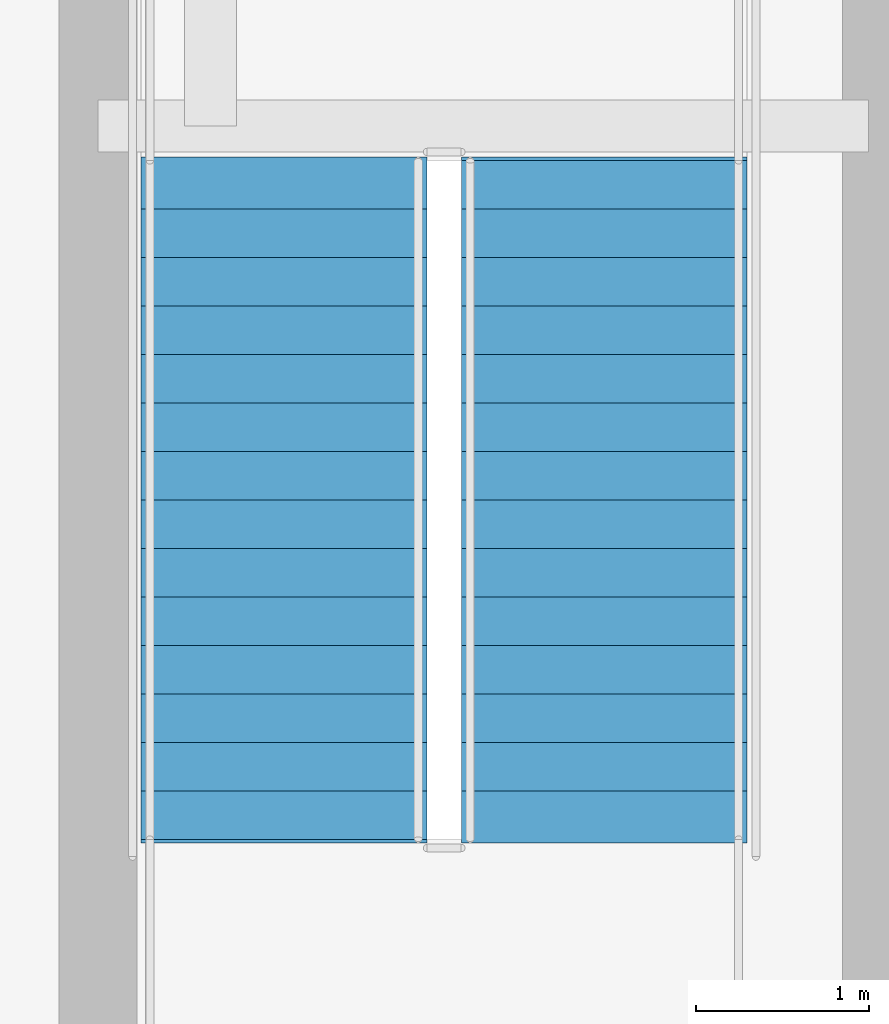
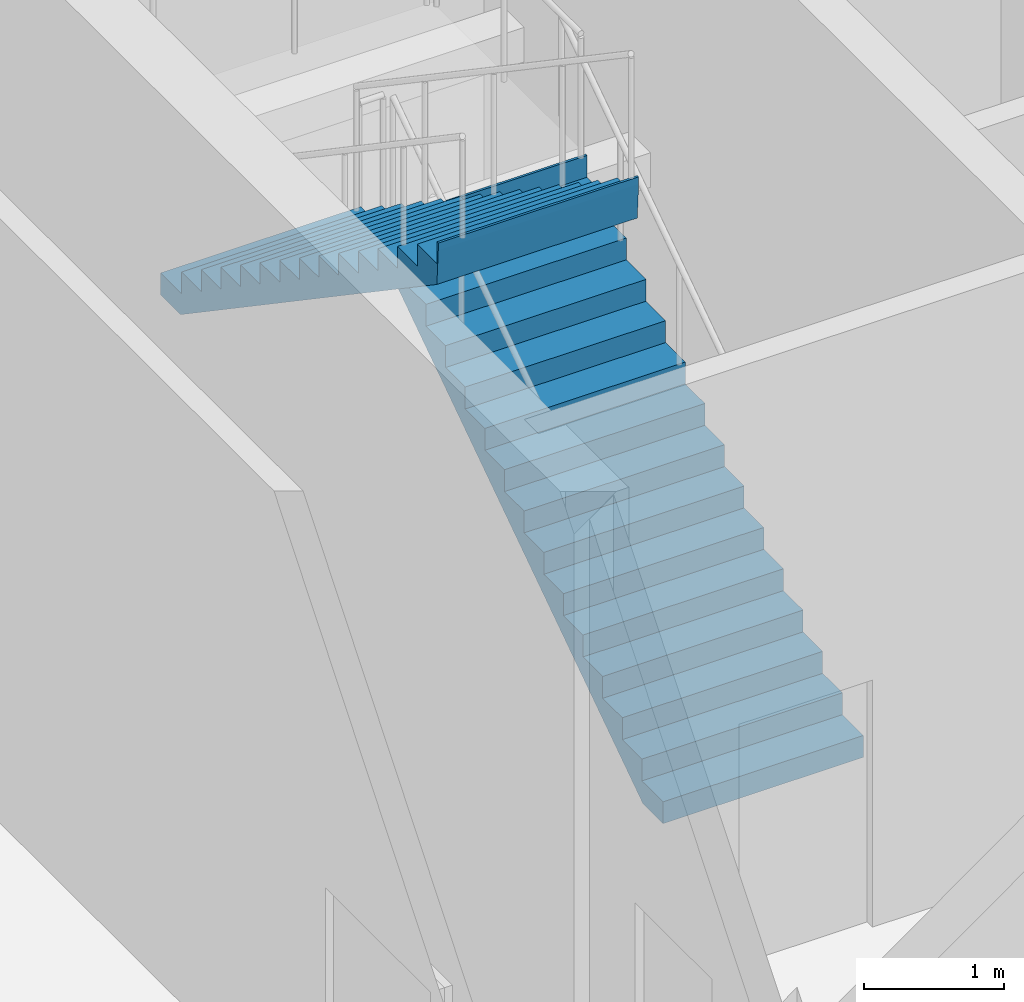
# One storey, part 5 of 9: 2 stair flights, 1 element without a shape of its own.
"""IFC4 building model written with IfcOpenShell, lengths in metres."""

from ifc_helpers import new_model, si_unit, direction, frame, origin, place, context, subcontext, project, spatial, polygons, material, type_object, element, aggregate, save


model = new_model("IFC4")

# Units and contexts
model_context = context("Model", 3, precision=1e-05, world=origin(), true_north=direction((0.0, 1.0)))
body_context = subcontext(model_context, "Body", "Model", "MODEL_VIEW")
ifc_project = project(units=[si_unit("LENGTHUNIT", "METRE"), si_unit("AREAUNIT", "SQUARE_METRE"), si_unit("VOLUMEUNIT", "CUBIC_METRE"), si_unit("PLANEANGLEUNIT", "RADIAN"), si_unit("MASSUNIT", "GRAM", prefix="KILO")], contexts=[model_context])

# Site, building, storey
site_placement = place(None, origin())
site = spatial("IfcSite", under=ifc_project, at=site_placement, CompositionType="ELEMENT")
building_placement = place(site_placement, origin())
building = spatial("IfcBuilding", under=site, at=building_placement, Name="Serunith Strait Residences", CompositionType="ELEMENT")
storey_placement = place(building_placement, frame((0.0, 0.0, 21.0)))
storey = spatial("IfcBuildingStorey", under=building, at=storey_placement, Name="L04", CompositionType="ELEMENT", Elevation=21.0)

# Stair, stair flights
ifc_material = material(Name="Concrete C50/60", Category="concrete")
stair_type = type_object("IfcStairType", Name="STR-CORE-1", PredefinedType="HALF_TURN_STAIR", material=ifc_material)
stair_placement = place(storey_placement, origin())
stair = element("IfcStair", 1, at=stair_placement, inside=storey, type_object=stair_type, Name="L04 Protected Escape Stair ST-1", PredefinedType="HALF_TURN_STAIR")
stair_flight_type = type_object("IfcStairFlightType", Name="FLT-CORE-1", PredefinedType="STRAIGHT", material=ifc_material)
stair_flight_1_placement = place(storey_placement, frame((26.324951171875, 27.030029296875, 0.0), z_axis=(0.0, 0.0, 1.0), x_axis=(0.0, 1.0, 0.0)))
stair_flight_1 = element("IfcStairFlight", 2, at=stair_flight_1_placement, type_object=stair_flight_type, Name="ST-1 flight 1", NumberOfRisers=15, NumberOfTreads=14, PredefinedType="STRAIGHT", RiserHeight=0.19, TreadLength=0.28, context=body_context, shape_type="Tessellation", body=[
    polygons([(-0.02001953125, -0.824951171875, 0.0), (-0.02001953125, -0.824951171875, 0.18994140625), (0.280029296875, -0.824951171875, 0.18994140625), (0.280029296875, -0.824951171875, 0.3798828125), (0.56005859375, -0.824951171875, 0.3798828125), (0.56005859375, -0.824951171875, 0.570068359375), (0.840087890625, -0.824951171875, 0.570068359375), (0.840087890625, -0.824951171875, 0.760009765625), (1.1201171875, -0.824951171875, 0.760009765625), (1.1201171875, -0.824951171875, 0.949951171875), (1.39990234375, -0.824951171875, 0.949951171875), (1.39990234375, -0.824951171875, 1.139892578125), (1.679931640625, -0.824951171875, 1.139892578125), (1.679931640625, -0.824951171875, 1.330078125), (1.9599609375, -0.824951171875, 1.330078125), (1.9599609375, -0.824951171875, 1.52001953125), (2.239990234375, -0.824951171875, 1.52001953125), (2.239990234375, -0.824951171875, 1.7099609375), (2.52001953125, -0.824951171875, 1.7099609375), (2.52001953125, -0.824951171875, 1.89990234375), (2.800048828125, -0.824951171875, 1.89990234375), (2.800048828125, -0.824951171875, 2.090087890625), (3.080078125, -0.824951171875, 2.090087890625), (3.080078125, -0.824951171875, 2.280029296875), (3.360107421875, -0.824951171875, 2.280029296875), (3.360107421875, -0.824951171875, 2.469970703125), (3.639892578125, -0.824951171875, 2.469970703125), (3.639892578125, -0.824951171875, 2.659912109375), (3.919921875, -0.824951171875, 2.659912109375), (3.919921875, -0.824951171875, 2.85009765625), (3.93994140625, -0.824951171875, 2.85009765625), (3.93994140625, -0.824951171875, 2.7900390625), (3.919921875, -0.824951171875, 2.478759765625), (0.266845703125, -0.824951171875, 0.0), (-0.02001953125, -0.41259765625, 0.0), (-0.02001953125, -0.41259765625, 0.18994140625), (0.280029296875, -0.41259765625, 0.18994140625), (0.280029296875, -0.41259765625, 0.3798828125), (0.56005859375, -0.41259765625, 0.3798828125), (0.56005859375, -0.41259765625, 0.570068359375), (0.840087890625, -0.41259765625, 0.570068359375), (0.840087890625, -0.41259765625, 0.760009765625), (1.1201171875, -0.41259765625, 0.760009765625), (1.1201171875, -0.41259765625, 0.949951171875), (1.39990234375, -0.41259765625, 0.949951171875), (1.39990234375, -0.41259765625, 1.139892578125), (1.679931640625, -0.41259765625, 1.139892578125), (1.679931640625, -0.41259765625, 1.330078125), (1.9599609375, -0.41259765625, 1.330078125), (1.9599609375, -0.41259765625, 1.52001953125), (2.239990234375, -0.41259765625, 1.52001953125), (2.239990234375, -0.41259765625, 1.7099609375), (2.52001953125, -0.41259765625, 1.7099609375), (2.52001953125, -0.41259765625, 1.89990234375), (2.800048828125, -0.41259765625, 1.89990234375), (2.800048828125, -0.41259765625, 2.090087890625), (3.080078125, -0.41259765625, 2.090087890625), (3.080078125, -0.41259765625, 2.280029296875), (3.360107421875, -0.41259765625, 2.280029296875), (3.360107421875, -0.41259765625, 2.469970703125), (3.639892578125, -0.41259765625, 2.469970703125), (3.639892578125, -0.41259765625, 2.659912109375), (3.919921875, -0.41259765625, 2.659912109375), (3.919921875, -0.41259765625, 2.85009765625), (3.93994140625, -0.41259765625, 2.85009765625), (3.93994140625, -0.41259765625, 2.7900390625), (3.919921875, -0.41259765625, 2.478759765625), (0.266845703125, -0.41259765625, 0.0), (-0.02001953125, 0.0, 0.0), (-0.02001953125, 0.0, 0.18994140625), (0.280029296875, 0.0, 0.18994140625), (0.280029296875, 0.0, 0.3798828125), (0.56005859375, 0.0, 0.3798828125), (0.56005859375, 0.0, 0.570068359375), (0.840087890625, 0.0, 0.570068359375), (0.840087890625, 0.0, 0.760009765625), (1.1201171875, 0.0, 0.760009765625), (1.1201171875, 0.0, 0.949951171875), (1.39990234375, 0.0, 0.949951171875), (1.39990234375, 0.0, 1.139892578125), (1.679931640625, 0.0, 1.139892578125), (1.679931640625, 0.0, 1.330078125), (1.9599609375, 0.0, 1.330078125), (1.9599609375, 0.0, 1.52001953125), (2.239990234375, 0.0, 1.52001953125), (2.239990234375, 0.0, 1.7099609375), (2.52001953125, 0.0, 1.7099609375), (2.52001953125, 0.0, 1.89990234375), (2.800048828125, 0.0, 1.89990234375), (2.800048828125, 0.0, 2.090087890625), (3.080078125, 0.0, 2.090087890625), (3.080078125, 0.0, 2.280029296875), (3.360107421875, 0.0, 2.280029296875), (3.360107421875, 0.0, 2.469970703125), (3.639892578125, 0.0, 2.469970703125), (3.639892578125, 0.0, 2.659912109375), (3.919921875, 0.0, 2.659912109375), (3.919921875, 0.0, 2.85009765625), (3.93994140625, 0.0, 2.85009765625), (3.93994140625, 0.0, 2.7900390625), (3.919921875, 0.0, 2.478759765625), (0.266845703125, 0.0, 0.0), (-0.02001953125, 0.41259765625, 0.0), (-0.02001953125, 0.41259765625, 0.18994140625), (0.280029296875, 0.41259765625, 0.18994140625), (0.280029296875, 0.41259765625, 0.3798828125), (0.56005859375, 0.41259765625, 0.3798828125), (0.56005859375, 0.41259765625, 0.570068359375), (0.840087890625, 0.41259765625, 0.570068359375), (0.840087890625, 0.41259765625, 0.760009765625), (1.1201171875, 0.41259765625, 0.760009765625), (1.1201171875, 0.41259765625, 0.949951171875), (1.39990234375, 0.41259765625, 0.949951171875), (1.39990234375, 0.41259765625, 1.139892578125), (1.679931640625, 0.41259765625, 1.139892578125), (1.679931640625, 0.41259765625, 1.330078125), (1.9599609375, 0.41259765625, 1.330078125), (1.9599609375, 0.41259765625, 1.52001953125), (2.239990234375, 0.41259765625, 1.52001953125), (2.239990234375, 0.41259765625, 1.7099609375), (2.52001953125, 0.41259765625, 1.7099609375), (2.52001953125, 0.41259765625, 1.89990234375), (2.800048828125, 0.41259765625, 1.89990234375), (2.800048828125, 0.41259765625, 2.090087890625), (3.080078125, 0.41259765625, 2.090087890625), (3.080078125, 0.41259765625, 2.280029296875), (3.360107421875, 0.41259765625, 2.280029296875), (3.360107421875, 0.41259765625, 2.469970703125), (3.639892578125, 0.41259765625, 2.469970703125), (3.639892578125, 0.41259765625, 2.659912109375), (3.919921875, 0.41259765625, 2.659912109375), (3.919921875, 0.41259765625, 2.85009765625), (3.93994140625, 0.41259765625, 2.85009765625), (3.93994140625, 0.41259765625, 2.7900390625), (3.919921875, 0.41259765625, 2.478759765625), (0.266845703125, 0.41259765625, 0.0), (-0.02001953125, 0.824951171875, 0.0), (-0.02001953125, 0.824951171875, 0.18994140625), (0.280029296875, 0.824951171875, 0.18994140625), (0.280029296875, 0.824951171875, 0.3798828125), (0.56005859375, 0.824951171875, 0.3798828125), (0.56005859375, 0.824951171875, 0.570068359375), (0.840087890625, 0.824951171875, 0.570068359375), (0.840087890625, 0.824951171875, 0.760009765625), (1.1201171875, 0.824951171875, 0.760009765625), (1.1201171875, 0.824951171875, 0.949951171875), (1.39990234375, 0.824951171875, 0.949951171875), (1.39990234375, 0.824951171875, 1.139892578125), (1.679931640625, 0.824951171875, 1.139892578125), (1.679931640625, 0.824951171875, 1.330078125), (1.9599609375, 0.824951171875, 1.330078125), (1.9599609375, 0.824951171875, 1.52001953125), (2.239990234375, 0.824951171875, 1.52001953125), (2.239990234375, 0.824951171875, 1.7099609375), (2.52001953125, 0.824951171875, 1.7099609375), (2.52001953125, 0.824951171875, 1.89990234375), (2.800048828125, 0.824951171875, 1.89990234375), (2.800048828125, 0.824951171875, 2.090087890625), (3.080078125, 0.824951171875, 2.090087890625), (3.080078125, 0.824951171875, 2.280029296875), (3.360107421875, 0.824951171875, 2.280029296875), (3.360107421875, 0.824951171875, 2.469970703125), (3.639892578125, 0.824951171875, 2.469970703125), (3.639892578125, 0.824951171875, 2.659912109375), (3.919921875, 0.824951171875, 2.659912109375), (3.919921875, 0.824951171875, 2.85009765625), (3.93994140625, 0.824951171875, 2.85009765625), (3.93994140625, 0.824951171875, 2.7900390625), (3.919921875, 0.824951171875, 2.478759765625), (0.266845703125, 0.824951171875, 0.0)], [[[1, 2, 36, 35]], [[2, 3, 37, 36]], [[3, 4, 38, 37]], [[4, 5, 39, 38]], [[5, 6, 40, 39]], [[6, 7, 41, 40]], [[7, 8, 42, 41]], [[8, 9, 43, 42]], [[9, 10, 44, 43]], [[10, 11, 45, 44]], [[11, 12, 46, 45]], [[12, 13, 47, 46]], [[13, 14, 48, 47]], [[14, 15, 49, 48]], [[15, 16, 50, 49]], [[16, 17, 51, 50]], [[17, 18, 52, 51]], [[18, 19, 53, 52]], [[19, 20, 54, 53]], [[20, 21, 55, 54]], [[21, 22, 56, 55]], [[22, 23, 57, 56]], [[23, 24, 58, 57]], [[24, 25, 59, 58]], [[25, 26, 60, 59]], [[26, 27, 61, 60]], [[27, 28, 62, 61]], [[28, 29, 63, 62]], [[29, 30, 64, 63]], [[30, 31, 65, 64]], [[31, 32, 66, 65]], [[32, 33, 67, 66]], [[33, 34, 68, 67]], [[34, 1, 35, 68]], [[35, 36, 70, 69]], [[36, 37, 71, 70]], [[37, 38, 72, 71]], [[38, 39, 73, 72]], [[39, 40, 74, 73]], [[40, 41, 75, 74]], [[41, 42, 76, 75]], [[42, 43, 77, 76]], [[43, 44, 78, 77]], [[44, 45, 79, 78]], [[45, 46, 80, 79]], [[46, 47, 81, 80]], [[47, 48, 82, 81]], [[48, 49, 83, 82]], [[49, 50, 84, 83]], [[50, 51, 85, 84]], [[51, 52, 86, 85]], [[52, 53, 87, 86]], [[53, 54, 88, 87]], [[54, 55, 89, 88]], [[55, 56, 90, 89]], [[56, 57, 91, 90]], [[57, 58, 92, 91]], [[58, 59, 93, 92]], [[59, 60, 94, 93]], [[60, 61, 95, 94]], [[61, 62, 96, 95]], [[62, 63, 97, 96]], [[63, 64, 98, 97]], [[64, 65, 99, 98]], [[65, 66, 100, 99]], [[66, 67, 101, 100]], [[67, 68, 102, 101]], [[68, 35, 69, 102]], [[69, 70, 104, 103]], [[70, 71, 105, 104]], [[71, 72, 106, 105]], [[72, 73, 107, 106]], [[73, 74, 108, 107]], [[74, 75, 109, 108]], [[75, 76, 110, 109]], [[76, 77, 111, 110]], [[77, 78, 112, 111]], [[78, 79, 113, 112]], [[79, 80, 114, 113]], [[80, 81, 115, 114]], [[81, 82, 116, 115]], [[82, 83, 117, 116]], [[83, 84, 118, 117]], [[84, 85, 119, 118]], [[85, 86, 120, 119]], [[86, 87, 121, 120]], [[87, 88, 122, 121]], [[88, 89, 123, 122]], [[89, 90, 124, 123]], [[90, 91, 125, 124]], [[91, 92, 126, 125]], [[92, 93, 127, 126]], [[93, 94, 128, 127]], [[94, 95, 129, 128]], [[95, 96, 130, 129]], [[96, 97, 131, 130]], [[97, 98, 132, 131]], [[98, 99, 133, 132]], [[99, 100, 134, 133]], [[100, 101, 135, 134]], [[101, 102, 136, 135]], [[102, 69, 103, 136]], [[103, 104, 138, 137]], [[104, 105, 139, 138]], [[105, 106, 140, 139]], [[106, 107, 141, 140]], [[107, 108, 142, 141]], [[108, 109, 143, 142]], [[109, 110, 144, 143]], [[110, 111, 145, 144]], [[111, 112, 146, 145]], [[112, 113, 147, 146]], [[113, 114, 148, 147]], [[114, 115, 149, 148]], [[115, 116, 150, 149]], [[116, 117, 151, 150]], [[117, 118, 152, 151]], [[118, 119, 153, 152]], [[119, 120, 154, 153]], [[120, 121, 155, 154]], [[121, 122, 156, 155]], [[122, 123, 157, 156]], [[123, 124, 158, 157]], [[124, 125, 159, 158]], [[125, 126, 160, 159]], [[126, 127, 161, 160]], [[127, 128, 162, 161]], [[128, 129, 163, 162]], [[129, 130, 164, 163]], [[130, 131, 165, 164]], [[131, 132, 166, 165]], [[132, 133, 167, 166]], [[133, 134, 168, 167]], [[134, 135, 169, 168]], [[135, 136, 170, 169]], [[136, 103, 137, 170]], [[34, 33, 32, 31, 30, 29, 28, 27, 26, 25, 24, 23, 22, 21, 20, 19, 18, 17, 16, 15, 14, 13, 12, 11, 10, 9, 8, 7, 6, 5, 4, 3, 2, 1]], [[137, 138, 139, 140, 141, 142, 143, 144, 145, 146, 147, 148, 149, 150, 151, 152, 153, 154, 155, 156, 157, 158, 159, 160, 161, 162, 163, 164, 165, 166, 167, 168, 169, 170]]], closed=True),
])
stair_flight_2_placement = place(storey_placement, frame((24.47509765625, 30.949951171875, 2.85009765625), z_axis=(0.0, 0.0, 1.0), x_axis=(0.0, -1.0, 0.0)))
stair_flight_2 = element("IfcStairFlight", 3, at=stair_flight_2_placement, type_object=stair_flight_type, Name="ST-1 flight 2", NumberOfRisers=15, NumberOfTreads=14, PredefinedType="STRAIGHT", RiserHeight=0.19, TreadLength=0.28, context=body_context, shape_type="Tessellation", body=[
    polygons([(-0.02001953125, -0.824951171875, 0.0), (-0.02001953125, -0.824951171875, 0.18994140625), (0.280029296875, -0.824951171875, 0.18994140625), (0.280029296875, -0.824951171875, 0.3798828125), (0.56005859375, -0.824951171875, 0.3798828125), (0.56005859375, -0.824951171875, 0.570068359375), (0.840087890625, -0.824951171875, 0.570068359375), (0.840087890625, -0.824951171875, 0.760009765625), (1.1201171875, -0.824951171875, 0.760009765625), (1.1201171875, -0.824951171875, 0.949951171875), (1.39990234375, -0.824951171875, 0.949951171875), (1.39990234375, -0.824951171875, 1.139892578125), (1.679931640625, -0.824951171875, 1.139892578125), (1.679931640625, -0.824951171875, 1.330078125), (1.9599609375, -0.824951171875, 1.330078125), (1.9599609375, -0.824951171875, 1.52001953125), (2.239990234375, -0.824951171875, 1.52001953125), (2.239990234375, -0.824951171875, 1.7099609375), (2.52001953125, -0.824951171875, 1.7099609375), (2.52001953125, -0.824951171875, 1.89990234375), (2.800048828125, -0.824951171875, 1.89990234375), (2.800048828125, -0.824951171875, 2.090087890625), (3.080078125, -0.824951171875, 2.090087890625), (3.080078125, -0.824951171875, 2.280029296875), (3.360107421875, -0.824951171875, 2.280029296875), (3.360107421875, -0.824951171875, 2.469970703125), (3.639892578125, -0.824951171875, 2.469970703125), (3.639892578125, -0.824951171875, 2.659912109375), (3.919921875, -0.824951171875, 2.659912109375), (3.919921875, -0.824951171875, 2.85009765625), (3.93994140625, -0.824951171875, 2.85009765625), (3.93994140625, -0.824951171875, 2.7900390625), (3.919921875, -0.824951171875, 2.478759765625), (0.266845703125, -0.824951171875, 0.0), (-0.02001953125, -0.41259765625, 0.0), (-0.02001953125, -0.41259765625, 0.18994140625), (0.280029296875, -0.41259765625, 0.18994140625), (0.280029296875, -0.41259765625, 0.3798828125), (0.56005859375, -0.41259765625, 0.3798828125), (0.56005859375, -0.41259765625, 0.570068359375), (0.840087890625, -0.41259765625, 0.570068359375), (0.840087890625, -0.41259765625, 0.760009765625), (1.1201171875, -0.41259765625, 0.760009765625), (1.1201171875, -0.41259765625, 0.949951171875), (1.39990234375, -0.41259765625, 0.949951171875), (1.39990234375, -0.41259765625, 1.139892578125), (1.679931640625, -0.41259765625, 1.139892578125), (1.679931640625, -0.41259765625, 1.330078125), (1.9599609375, -0.41259765625, 1.330078125), (1.9599609375, -0.41259765625, 1.52001953125), (2.239990234375, -0.41259765625, 1.52001953125), (2.239990234375, -0.41259765625, 1.7099609375), (2.52001953125, -0.41259765625, 1.7099609375), (2.52001953125, -0.41259765625, 1.89990234375), (2.800048828125, -0.41259765625, 1.89990234375), (2.800048828125, -0.41259765625, 2.090087890625), (3.080078125, -0.41259765625, 2.090087890625), (3.080078125, -0.41259765625, 2.280029296875), (3.360107421875, -0.41259765625, 2.280029296875), (3.360107421875, -0.41259765625, 2.469970703125), (3.639892578125, -0.41259765625, 2.469970703125), (3.639892578125, -0.41259765625, 2.659912109375), (3.919921875, -0.41259765625, 2.659912109375), (3.919921875, -0.41259765625, 2.85009765625), (3.93994140625, -0.41259765625, 2.85009765625), (3.93994140625, -0.41259765625, 2.7900390625), (3.919921875, -0.41259765625, 2.478759765625), (0.266845703125, -0.41259765625, 0.0), (-0.02001953125, 0.0, 0.0), (-0.02001953125, 0.0, 0.18994140625), (0.280029296875, 0.0, 0.18994140625), (0.280029296875, 0.0, 0.3798828125), (0.56005859375, 0.0, 0.3798828125), (0.56005859375, 0.0, 0.570068359375), (0.840087890625, 0.0, 0.570068359375), (0.840087890625, 0.0, 0.760009765625), (1.1201171875, 0.0, 0.760009765625), (1.1201171875, 0.0, 0.949951171875), (1.39990234375, 0.0, 0.949951171875), (1.39990234375, 0.0, 1.139892578125), (1.679931640625, 0.0, 1.139892578125), (1.679931640625, 0.0, 1.330078125), (1.9599609375, 0.0, 1.330078125), (1.9599609375, 0.0, 1.52001953125), (2.239990234375, 0.0, 1.52001953125), (2.239990234375, 0.0, 1.7099609375), (2.52001953125, 0.0, 1.7099609375), (2.52001953125, 0.0, 1.89990234375), (2.800048828125, 0.0, 1.89990234375), (2.800048828125, 0.0, 2.090087890625), (3.080078125, 0.0, 2.090087890625), (3.080078125, 0.0, 2.280029296875), (3.360107421875, 0.0, 2.280029296875), (3.360107421875, 0.0, 2.469970703125), (3.639892578125, 0.0, 2.469970703125), (3.639892578125, 0.0, 2.659912109375), (3.919921875, 0.0, 2.659912109375), (3.919921875, 0.0, 2.85009765625), (3.93994140625, 0.0, 2.85009765625), (3.93994140625, 0.0, 2.7900390625), (3.919921875, 0.0, 2.478759765625), (0.266845703125, 0.0, 0.0), (-0.02001953125, 0.41259765625, 0.0), (-0.02001953125, 0.41259765625, 0.18994140625), (0.280029296875, 0.41259765625, 0.18994140625), (0.280029296875, 0.41259765625, 0.3798828125), (0.56005859375, 0.41259765625, 0.3798828125), (0.56005859375, 0.41259765625, 0.570068359375), (0.840087890625, 0.41259765625, 0.570068359375), (0.840087890625, 0.41259765625, 0.760009765625), (1.1201171875, 0.41259765625, 0.760009765625), (1.1201171875, 0.41259765625, 0.949951171875), (1.39990234375, 0.41259765625, 0.949951171875), (1.39990234375, 0.41259765625, 1.139892578125), (1.679931640625, 0.41259765625, 1.139892578125), (1.679931640625, 0.41259765625, 1.330078125), (1.9599609375, 0.41259765625, 1.330078125), (1.9599609375, 0.41259765625, 1.52001953125), (2.239990234375, 0.41259765625, 1.52001953125), (2.239990234375, 0.41259765625, 1.7099609375), (2.52001953125, 0.41259765625, 1.7099609375), (2.52001953125, 0.41259765625, 1.89990234375), (2.800048828125, 0.41259765625, 1.89990234375), (2.800048828125, 0.41259765625, 2.090087890625), (3.080078125, 0.41259765625, 2.090087890625), (3.080078125, 0.41259765625, 2.280029296875), (3.360107421875, 0.41259765625, 2.280029296875), (3.360107421875, 0.41259765625, 2.469970703125), (3.639892578125, 0.41259765625, 2.469970703125), (3.639892578125, 0.41259765625, 2.659912109375), (3.919921875, 0.41259765625, 2.659912109375), (3.919921875, 0.41259765625, 2.85009765625), (3.93994140625, 0.41259765625, 2.85009765625), (3.93994140625, 0.41259765625, 2.7900390625), (3.919921875, 0.41259765625, 2.478759765625), (0.266845703125, 0.41259765625, 0.0), (-0.02001953125, 0.824951171875, 0.0), (-0.02001953125, 0.824951171875, 0.18994140625), (0.280029296875, 0.824951171875, 0.18994140625), (0.280029296875, 0.824951171875, 0.3798828125), (0.56005859375, 0.824951171875, 0.3798828125), (0.56005859375, 0.824951171875, 0.570068359375), (0.840087890625, 0.824951171875, 0.570068359375), (0.840087890625, 0.824951171875, 0.760009765625), (1.1201171875, 0.824951171875, 0.760009765625), (1.1201171875, 0.824951171875, 0.949951171875), (1.39990234375, 0.824951171875, 0.949951171875), (1.39990234375, 0.824951171875, 1.139892578125), (1.679931640625, 0.824951171875, 1.139892578125), (1.679931640625, 0.824951171875, 1.330078125), (1.9599609375, 0.824951171875, 1.330078125), (1.9599609375, 0.824951171875, 1.52001953125), (2.239990234375, 0.824951171875, 1.52001953125), (2.239990234375, 0.824951171875, 1.7099609375), (2.52001953125, 0.824951171875, 1.7099609375), (2.52001953125, 0.824951171875, 1.89990234375), (2.800048828125, 0.824951171875, 1.89990234375), (2.800048828125, 0.824951171875, 2.090087890625), (3.080078125, 0.824951171875, 2.090087890625), (3.080078125, 0.824951171875, 2.280029296875), (3.360107421875, 0.824951171875, 2.280029296875), (3.360107421875, 0.824951171875, 2.469970703125), (3.639892578125, 0.824951171875, 2.469970703125), (3.639892578125, 0.824951171875, 2.659912109375), (3.919921875, 0.824951171875, 2.659912109375), (3.919921875, 0.824951171875, 2.85009765625), (3.93994140625, 0.824951171875, 2.85009765625), (3.93994140625, 0.824951171875, 2.7900390625), (3.919921875, 0.824951171875, 2.478759765625), (0.266845703125, 0.824951171875, 0.0)], [[[1, 2, 36, 35]], [[2, 3, 37, 36]], [[3, 4, 38, 37]], [[4, 5, 39, 38]], [[5, 6, 40, 39]], [[6, 7, 41, 40]], [[7, 8, 42, 41]], [[8, 9, 43, 42]], [[9, 10, 44, 43]], [[10, 11, 45, 44]], [[11, 12, 46, 45]], [[12, 13, 47, 46]], [[13, 14, 48, 47]], [[14, 15, 49, 48]], [[15, 16, 50, 49]], [[16, 17, 51, 50]], [[17, 18, 52, 51]], [[18, 19, 53, 52]], [[19, 20, 54, 53]], [[20, 21, 55, 54]], [[21, 22, 56, 55]], [[22, 23, 57, 56]], [[23, 24, 58, 57]], [[24, 25, 59, 58]], [[25, 26, 60, 59]], [[26, 27, 61, 60]], [[27, 28, 62, 61]], [[28, 29, 63, 62]], [[29, 30, 64, 63]], [[30, 31, 65, 64]], [[31, 32, 66, 65]], [[32, 33, 67, 66]], [[33, 34, 68, 67]], [[34, 1, 35, 68]], [[35, 36, 70, 69]], [[36, 37, 71, 70]], [[37, 38, 72, 71]], [[38, 39, 73, 72]], [[39, 40, 74, 73]], [[40, 41, 75, 74]], [[41, 42, 76, 75]], [[42, 43, 77, 76]], [[43, 44, 78, 77]], [[44, 45, 79, 78]], [[45, 46, 80, 79]], [[46, 47, 81, 80]], [[47, 48, 82, 81]], [[48, 49, 83, 82]], [[49, 50, 84, 83]], [[50, 51, 85, 84]], [[51, 52, 86, 85]], [[52, 53, 87, 86]], [[53, 54, 88, 87]], [[54, 55, 89, 88]], [[55, 56, 90, 89]], [[56, 57, 91, 90]], [[57, 58, 92, 91]], [[58, 59, 93, 92]], [[59, 60, 94, 93]], [[60, 61, 95, 94]], [[61, 62, 96, 95]], [[62, 63, 97, 96]], [[63, 64, 98, 97]], [[64, 65, 99, 98]], [[65, 66, 100, 99]], [[66, 67, 101, 100]], [[67, 68, 102, 101]], [[68, 35, 69, 102]], [[69, 70, 104, 103]], [[70, 71, 105, 104]], [[71, 72, 106, 105]], [[72, 73, 107, 106]], [[73, 74, 108, 107]], [[74, 75, 109, 108]], [[75, 76, 110, 109]], [[76, 77, 111, 110]], [[77, 78, 112, 111]], [[78, 79, 113, 112]], [[79, 80, 114, 113]], [[80, 81, 115, 114]], [[81, 82, 116, 115]], [[82, 83, 117, 116]], [[83, 84, 118, 117]], [[84, 85, 119, 118]], [[85, 86, 120, 119]], [[86, 87, 121, 120]], [[87, 88, 122, 121]], [[88, 89, 123, 122]], [[89, 90, 124, 123]], [[90, 91, 125, 124]], [[91, 92, 126, 125]], [[92, 93, 127, 126]], [[93, 94, 128, 127]], [[94, 95, 129, 128]], [[95, 96, 130, 129]], [[96, 97, 131, 130]], [[97, 98, 132, 131]], [[98, 99, 133, 132]], [[99, 100, 134, 133]], [[100, 101, 135, 134]], [[101, 102, 136, 135]], [[102, 69, 103, 136]], [[103, 104, 138, 137]], [[104, 105, 139, 138]], [[105, 106, 140, 139]], [[106, 107, 141, 140]], [[107, 108, 142, 141]], [[108, 109, 143, 142]], [[109, 110, 144, 143]], [[110, 111, 145, 144]], [[111, 112, 146, 145]], [[112, 113, 147, 146]], [[113, 114, 148, 147]], [[114, 115, 149, 148]], [[115, 116, 150, 149]], [[116, 117, 151, 150]], [[117, 118, 152, 151]], [[118, 119, 153, 152]], [[119, 120, 154, 153]], [[120, 121, 155, 154]], [[121, 122, 156, 155]], [[122, 123, 157, 156]], [[123, 124, 158, 157]], [[124, 125, 159, 158]], [[125, 126, 160, 159]], [[126, 127, 161, 160]], [[127, 128, 162, 161]], [[128, 129, 163, 162]], [[129, 130, 164, 163]], [[130, 131, 165, 164]], [[131, 132, 166, 165]], [[132, 133, 167, 166]], [[133, 134, 168, 167]], [[134, 135, 169, 168]], [[135, 136, 170, 169]], [[136, 103, 137, 170]], [[34, 33, 32, 31, 30, 29, 28, 27, 26, 25, 24, 23, 22, 21, 20, 19, 18, 17, 16, 15, 14, 13, 12, 11, 10, 9, 8, 7, 6, 5, 4, 3, 2, 1]], [[137, 138, 139, 140, 141, 142, 143, 144, 145, 146, 147, 148, 149, 150, 151, 152, 153, 154, 155, 156, 157, 158, 159, 160, 161, 162, 163, 164, 165, 166, 167, 168, 169, 170]]], closed=True),
])
aggregate(stair, [stair_flight_1, stair_flight_2])

save(model, "model.ifc")
